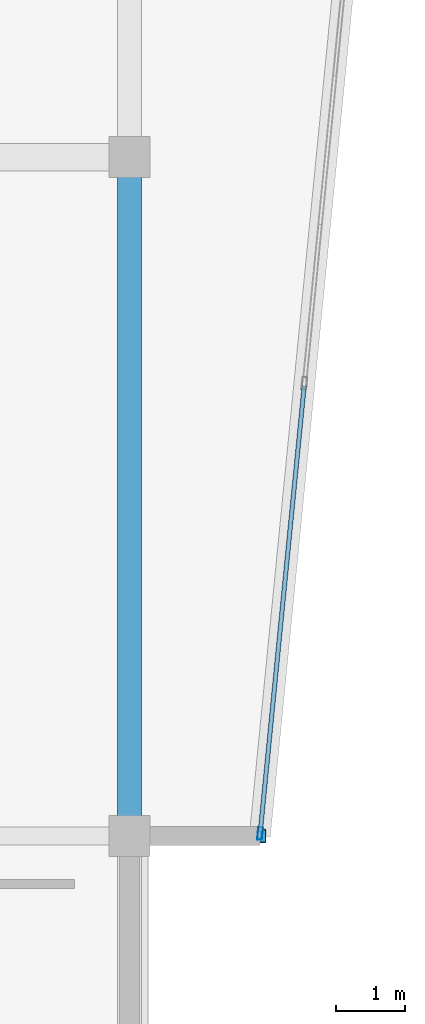
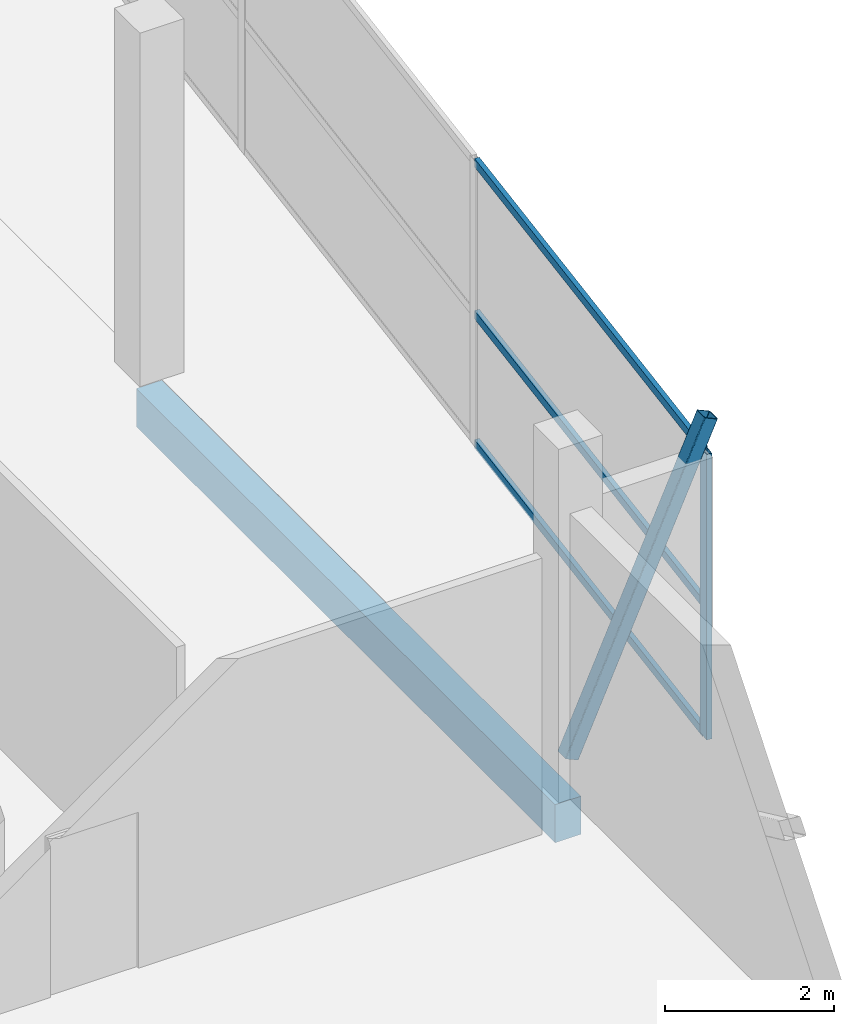
# One storey, part 13 of 66: 5 members, 1 beam, 1 element without a shape of its own.
"""IFC4 building model written with IfcOpenShell, lengths in metres."""

from ifc_helpers import new_model, si_unit, direction, frame, origin, origin_2d, place, context, subcontext, project, spatial, rectangle, hollow_rectangle, extrude, material, layer, layer_set, material_profile, profile_set, type_object, element, aggregate, save


model = new_model("IFC4")

# Units and contexts
model_context = context("Model", 3, precision=1e-05, world=origin(), true_north=direction((0.0, 1.0)))
body_context = subcontext(model_context, "Body", "Model", "MODEL_VIEW")
ifc_project = project(units=[si_unit("LENGTHUNIT", "METRE"), si_unit("AREAUNIT", "SQUARE_METRE"), si_unit("VOLUMEUNIT", "CUBIC_METRE"), si_unit("PLANEANGLEUNIT", "RADIAN"), si_unit("MASSUNIT", "GRAM", prefix="KILO")], contexts=[model_context])

# Site, building, storey
site_placement = place(None, origin())
site = spatial("IfcSite", under=ifc_project, at=site_placement, CompositionType="ELEMENT")
building_placement = place(site_placement, origin())
building = spatial("IfcBuilding", under=site, at=building_placement, Name="Sillaruma Civic Art Gallery", CompositionType="ELEMENT")
storey_placement = place(building_placement, frame((0.0, 0.0, 57.1201171875)))
storey = spatial("IfcBuildingStorey", under=building, at=storey_placement, Name="L11", CompositionType="ELEMENT", Elevation=57.1201171875)

# Beam
ifc_material_1 = material(Name="Concrete H35 (35 MPa)", Category="concrete")
ifc_material_profile_1 = material_profile(ifc_material_1, rectangle(XDim=0.35009765625, YDim=0.550048828125, at=origin_2d()), Name="RCB350x550")
ifc_profile_set_1 = profile_set([ifc_material_profile_1], Name="Concrete H35 (35 MPa)")
beam_type = type_object("IfcBeamType", Name="BM-SPANDREL-RCB350x550", PredefinedType="SPANDREL", material=ifc_profile_set_1)
beam_placement = place(storey_placement, frame((114.39990234375, 29.699951171875, -0.525146484375), z_axis=(0.0, 1.0, 0.0), x_axis=(-1.0, 0.0, 0.0)))
element("IfcBeam", 1, at=beam_placement, inside=storey, type_object=beam_type, Name="Beam BS-04 (L10:N:4-5)", PredefinedType="SPANDREL", context=body_context, shape_type="SweptSolid", body=[
    extrude(rectangle(XDim=0.35009765625, YDim=0.550048828125, at=origin_2d()), origin(), (0.0, 0.0, 1.0), 9.900146484375),
])

# Curtain wall, member
ifc_material_2 = material(Name="Thermally Broken Extruded Aluminium 6063-T6", Category="aluminium")
ifc_layer = layer(ifc_material_2, 0.179931640625, Name="Thermally Broken Extruded Aluminium 6063-T6")
ifc_layer_set = layer_set([ifc_layer], Name="Thermally Broken Extruded Aluminium 6063-T6")
curtain_wall_type = type_object("IfcCurtainWallType", Name="CW-UNI-88", PredefinedType="NOTDEFINED", material=ifc_layer_set)
curtain_wall_placement = place(storey_placement, origin())
curtain_wall = element("IfcCurtainWall", 2, at=curtain_wall_placement, inside=storey, type_object=curtain_wall_type, Name="Unitised Curtain Wall CW-88 (CW-PRW-L11-E-ANG)", PredefinedType="NOTDEFINED")
ifc_material_profile_2 = material_profile(ifc_material_2, hollow_rectangle(XDim=0.070068359375, YDim=0.179931640625, WallThickness=0.00390625, at=origin_2d()), Name="CWM70x180")
ifc_profile_set_2 = profile_set([ifc_material_profile_2], Name="Thermally Broken Extruded Aluminium 6063-T6")
member_type_1 = type_object("IfcMemberType", Name="MEM-MUL-CWM70x180", PredefinedType="MULLION", material=ifc_profile_set_2)
member_1_placement = place(storey_placement, frame((116.303466796875, 29.73486328125, 0.0), z_axis=(0.0, 0.0, 1.0), x_axis=(-0.99518536297, 0.098010679679, 0.0)))
member_1 = element("IfcMember", 3, at=member_1_placement, type_object=member_type_1, Name="CW-88 mullion 1", PredefinedType="MULLION", context=body_context, shape_type="SweptSolid", body=[
    extrude(hollow_rectangle(XDim=0.070068359375, YDim=0.179931640625, WallThickness=0.00390625, at=origin_2d()), origin(), (0.0, 0.0, 1.0), 4.119873046875),
])

# Member
ifc_material_3 = material(Name="Structural Steel ASTM A500 Gr.C", Category="steel")
ifc_material_profile_3 = material_profile(ifc_material_3, hollow_rectangle(XDim=0.199951171875, YDim=0.199951171875, WallThickness=0.010009765625, InnerFilletRadius=0.010009765625, OuterFilletRadius=0.02001953125, at=origin_2d()), Name="HSS200x200x10")
ifc_profile_set_3 = profile_set([ifc_material_profile_3], Name="Structural Steel ASTM A500 Gr.C")
member_type_2 = type_object("IfcMemberType", Name="MEM-PROW-BRACE", PredefinedType="BRACE", material=ifc_profile_set_3)
member_2_placement = place(storey_placement, frame((114.39990234375, 29.699951171875, 0.39990234375), z_axis=(0.40780530866, 0.0, 0.913068907711), x_axis=(0.0, 1.0, 0.0)))
element("IfcMember", 4, at=member_2_placement, inside=storey, type_object=member_type_2, Name="Deconstructivist Prow Diagonal Brace (PRW-L11-E-ROF-S)", PredefinedType="BRACE", context=body_context, shape_type="SweptSolid", body=[
    extrude(hollow_rectangle(XDim=0.199951171875, YDim=0.199951171875, WallThickness=0.010009765625, InnerFilletRadius=0.010009765625, OuterFilletRadius=0.02001953125, at=origin_2d()), origin(), (0.0, 0.0, 1.0), 4.659423828125),
])

ifc_material_profile_4 = material_profile(ifc_material_2, hollow_rectangle(XDim=0.06494140625, YDim=0.1201171875, WallThickness=0.00341796875, at=origin_2d()), Name="CWT65x120")
ifc_profile_set_4 = profile_set([ifc_material_profile_4], Name="Thermally Broken Extruded Aluminium 6063-T6")
member_type_3 = type_object("IfcMemberType", Name="MEM-TRN-CWT65x120", PredefinedType="USERDEFINED", material=ifc_profile_set_4)
member_3_placement = place(storey_placement, frame((116.306884765625, 29.769775390625, 0.032470703125), z_axis=(0.098003663272, 0.995186053954, 0.0), x_axis=(-0.995186053954, 0.098003663272, 0.0)))
member_3 = element("IfcMember", 5, at=member_3_placement, type_object=member_type_3, Name="CW-88 transom 1.1", ObjectType="TRANSOM", PredefinedType="USERDEFINED", context=body_context, shape_type="SweptSolid", body=[
    extrude(hollow_rectangle(XDim=0.06494140625, YDim=0.1201171875, WallThickness=0.00341796875, at=origin_2d()), origin(), (0.0, 0.0, 1.0), 6.52685546875),
])

member_4_placement = place(storey_placement, frame((116.306884765625, 29.769775390625, 1.89501953125), z_axis=(0.098003663272, 0.995186053954, 0.0), x_axis=(-0.995186053954, 0.098003663272, 0.0)))
member_4 = element("IfcMember", 6, at=member_4_placement, type_object=member_type_3, Name="CW-88 transom 1.2", ObjectType="TRANSOM", PredefinedType="USERDEFINED", context=body_context, shape_type="SweptSolid", body=[
    extrude(hollow_rectangle(XDim=0.06494140625, YDim=0.1201171875, WallThickness=0.00341796875, at=origin_2d()), origin(), (0.0, 0.0, 1.0), 6.52685546875),
])

member_5_placement = place(storey_placement, frame((116.306884765625, 29.769775390625, 4.08740234375), z_axis=(0.098003663272, 0.995186053954, 0.0), x_axis=(-0.995186053954, 0.098003663272, 0.0)))
member_5 = element("IfcMember", 7, at=member_5_placement, type_object=member_type_3, Name="CW-88 transom 1.3", ObjectType="TRANSOM", PredefinedType="USERDEFINED", context=body_context, shape_type="SweptSolid", body=[
    extrude(hollow_rectangle(XDim=0.06494140625, YDim=0.1201171875, WallThickness=0.00341796875, at=origin_2d()), origin(), (0.0, 0.0, 1.0), 6.52685546875),
])

aggregate(curtain_wall, [member_1, member_3, member_4, member_5])

save(model, "model.ifc")
